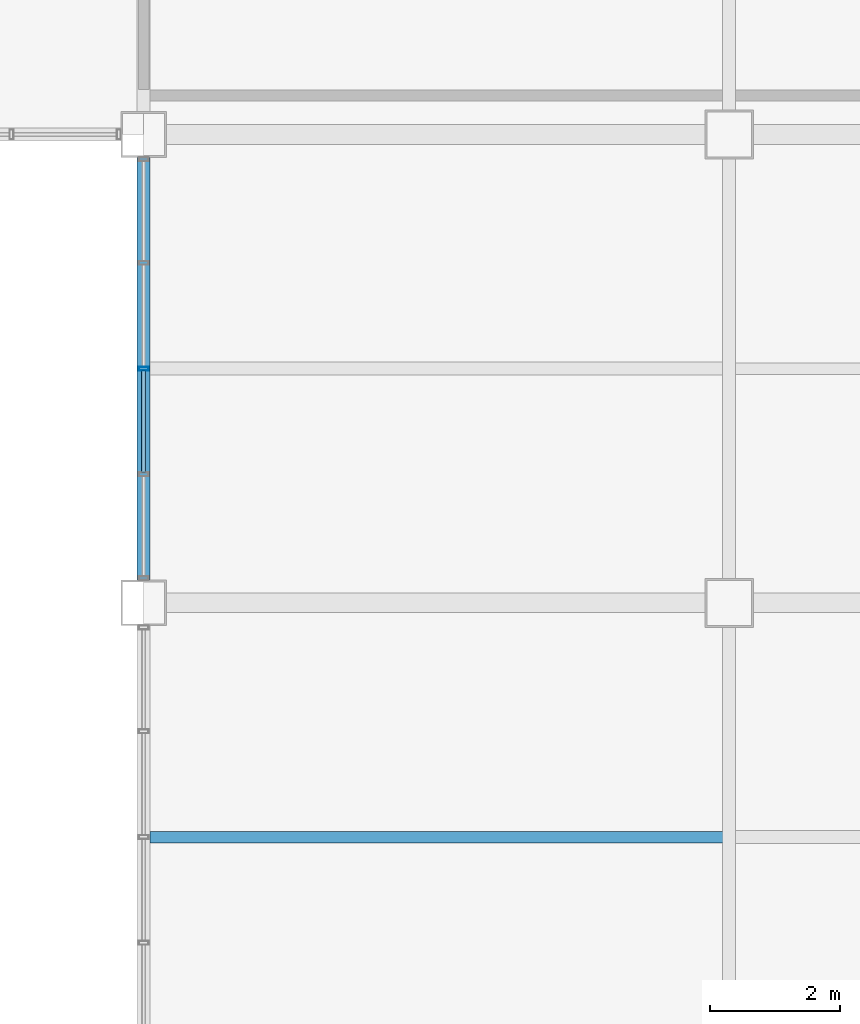
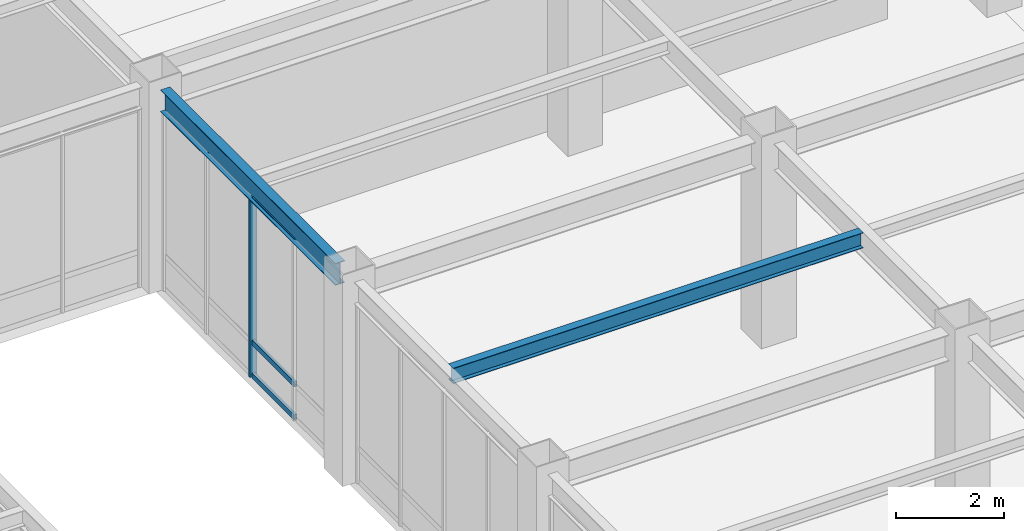
# One storey, part 47 of 112: 4 members, 2 beams, 1 element without a shape of its own.
"""IFC4 building model written with IfcOpenShell, lengths in metres."""

from ifc_helpers import new_model, si_unit, direction, frame, origin, origin_2d, place, context, subcontext, project, spatial, hollow_rectangle, i_section, extrude, material, material_profile, profile_set, type_object, element, aggregate, save


model = new_model("IFC4")

# Units and contexts
model_context = context("Model", 3, precision=1e-05, world=origin(), true_north=direction((0.0, 1.0)))
body_context = subcontext(model_context, "Body", "Model", "MODEL_VIEW")
ifc_project = project(units=[si_unit("LENGTHUNIT", "METRE"), si_unit("AREAUNIT", "SQUARE_METRE"), si_unit("VOLUMEUNIT", "CUBIC_METRE"), si_unit("PLANEANGLEUNIT", "RADIAN"), si_unit("MASSUNIT", "GRAM", prefix="KILO")], contexts=[model_context])

# Site, building, storey
site_placement = place(None, origin())
site = spatial("IfcSite", under=ifc_project, at=site_placement, CompositionType="ELEMENT")
building_placement = place(site_placement, origin())
building = spatial("IfcBuilding", under=site, at=building_placement, Name="Kazanami Central Library", CompositionType="ELEMENT")
storey_placement = place(building_placement, origin())
storey = spatial("IfcBuildingStorey", under=building, at=storey_placement, Name="L01", CompositionType="ELEMENT", Elevation=0.0)

# Beams
ifc_material_1 = material(Name="Steel SN400B (235 MPa)", Category="steel")
ifc_material_profile_1 = material_profile(ifc_material_1, i_section(OverallWidth=0.175048828125, OverallDepth=0.35009765625, WebThickness=0.007080078125, FlangeThickness=0.010986328125, at=origin_2d()), Name="H-350x175x7x11")
ifc_profile_set_1 = profile_set([ifc_material_profile_1], Name="Steel SN400B (235 MPa)")
beam_type_1 = type_object("IfcBeamType", Name="BM-B-S2", PredefinedType="JOIST", material=ifc_profile_set_1)
beam_1_placement = place(storey_placement, frame((117.097900390625, 54.0, 4.3798828125), z_axis=(1.0, 0.0, 0.0), x_axis=(0.0, 1.0, 0.0)))
element("IfcBeam", 1, at=beam_1_placement, inside=storey, type_object=beam_type_1, Name="Composite Secondary Joist B-S2 L01 Bay 14/H.1", PredefinedType="JOIST", context=body_context, shape_type="SweptSolid", body=[
    extrude(i_section(OverallWidth=0.175048828125, OverallDepth=0.35009765625, WebThickness=0.007080078125, FlangeThickness=0.010986328125, at=origin_2d()), origin(), (0.0, 0.0, 1.0), 8.80419921875),
])
ifc_material_2 = material(Name="Steel SN490B (325 MPa)", Category="steel")
ifc_material_profile_2 = material_profile(ifc_material_2, i_section(OverallWidth=0.199951171875, OverallDepth=0.5, WebThickness=0.010009765625, FlangeThickness=0.01611328125, at=origin_2d()), Name="H-500x200x10x16")
ifc_profile_set_2 = profile_set([ifc_material_profile_2], Name="Steel SN490B (325 MPa)")
beam_type_2 = type_object("IfcBeamType", Name="BM-SP-1", PredefinedType="SPANDREL", material=ifc_profile_set_2)
beam_2_placement = place(storey_placement, frame((117.0, 57.947998046875, 4.304931640625), z_axis=(0.0, 1.0, 0.0), x_axis=(-1.0, 0.0, 0.0)))
element("IfcBeam", 2, at=beam_2_placement, inside=storey, type_object=beam_type_2, Name="Girder SP-1 L01 14/J-K", PredefinedType="SPANDREL", context=body_context, shape_type="SweptSolid", body=[
    extrude(i_section(OverallWidth=0.199951171875, OverallDepth=0.5, WebThickness=0.010009765625, FlangeThickness=0.01611328125, at=origin_2d()), origin(), (0.0, 0.0, 1.0), 6.50390625),
])

# Curtain wall, members
ifc_material_3 = material(Name="Acid-Etched Low-E Laminated Glass", Category="glass")
curtain_wall_type = type_object("IfcCurtainWallType", Name="CW-6500x4055-M180", PredefinedType="USERDEFINED", material=ifc_material_3)
curtain_wall_placement = place(storey_placement, origin())
curtain_wall = element("IfcCurtainWall", 3, at=curtain_wall_placement, inside=storey, type_object=curtain_wall_type, Name="Covered Link Bridge Curtain Wall CW-11 L01 W-14-08", ObjectType="UNITISED CURTAIN WALL", PredefinedType="USERDEFINED")
ifc_material_4 = material(Name="Anodised Aluminium A6063-T5", Category="aluminium")
ifc_material_profile_3 = material_profile(ifc_material_4, hollow_rectangle(XDim=0.06005859375, YDim=0.14990234375, WallThickness=0.00390625, at=origin_2d()), Name="ALU-MULL-60x150x4")
ifc_profile_set_3 = profile_set([ifc_material_profile_3], Name="Anodised Aluminium A6063-T5")
member_type_1 = type_object("IfcMemberType", Name="MEM-CW-M3", PredefinedType="MULLION", material=ifc_profile_set_3)
member_1_placement = place(storey_placement, frame((117.0, 61.199951171875, 0.0), z_axis=(0.0, 0.0, 1.0), x_axis=(0.0, 1.0, 0.0)))
member_1 = element("IfcMember", 4, at=member_1_placement, type_object=member_type_1, Name="CW-11 mullion 3", PredefinedType="MULLION", context=body_context, shape_type="SweptSolid", body=[
    extrude(hollow_rectangle(XDim=0.06005859375, YDim=0.14990234375, WallThickness=0.00390625, at=origin_2d()), origin(), (0.0, 0.0, 1.0), 4.054931640625),
])
ifc_material_profile_4 = material_profile(ifc_material_4, hollow_rectangle(XDim=0.06005859375, YDim=0.1201171875, WallThickness=0.00341796875, at=origin_2d()), Name="ALU-TRAN-60x120x3.5")
ifc_profile_set_4 = profile_set([ifc_material_profile_4], Name="Anodised Aluminium A6063-T5")
member_type_2 = type_object("IfcMemberType", Name="MEM-CW-T3", PredefinedType="USERDEFINED", material=ifc_profile_set_4)
member_2_placement = place(storey_placement, frame((117.0, 59.60498046875, 0.030029296875), z_axis=(0.0, 1.0, 0.0), x_axis=(-1.0, 0.0, 0.0)))
member_2 = element("IfcMember", 5, at=member_2_placement, type_object=member_type_2, Name="CW-11 transom 2.1", ObjectType="TRANSOM", PredefinedType="USERDEFINED", context=body_context, shape_type="SweptSolid", body=[
    extrude(hollow_rectangle(XDim=0.06005859375, YDim=0.1201171875, WallThickness=0.00341796875, at=origin_2d()), origin(), (0.0, 0.0, 1.0), 1.56494140625),
])
member_3_placement = place(storey_placement, frame((117.0, 59.60498046875, 0.780029296875), z_axis=(0.0, 1.0, 0.0), x_axis=(-1.0, 0.0, 0.0)))
member_3 = element("IfcMember", 6, at=member_3_placement, type_object=member_type_2, Name="CW-11 transom 2.2", ObjectType="TRANSOM", PredefinedType="USERDEFINED", context=body_context, shape_type="SweptSolid", body=[
    extrude(hollow_rectangle(XDim=0.06005859375, YDim=0.1201171875, WallThickness=0.00341796875, at=origin_2d()), origin(), (0.0, 0.0, 1.0), 1.56494140625),
])
member_4_placement = place(storey_placement, frame((117.0, 59.60498046875, 4.02490234375), z_axis=(0.0, 1.0, 0.0), x_axis=(-1.0, 0.0, 0.0)))
member_4 = element("IfcMember", 7, at=member_4_placement, type_object=member_type_2, Name="CW-11 transom 2.3", ObjectType="TRANSOM", PredefinedType="USERDEFINED", context=body_context, shape_type="SweptSolid", body=[
    extrude(hollow_rectangle(XDim=0.06005859375, YDim=0.1201171875, WallThickness=0.00341796875, at=origin_2d()), origin(), (0.0, 0.0, 1.0), 1.56494140625),
])
aggregate(curtain_wall, [member_1, member_2, member_3, member_4])

save(model, "model.ifc")
